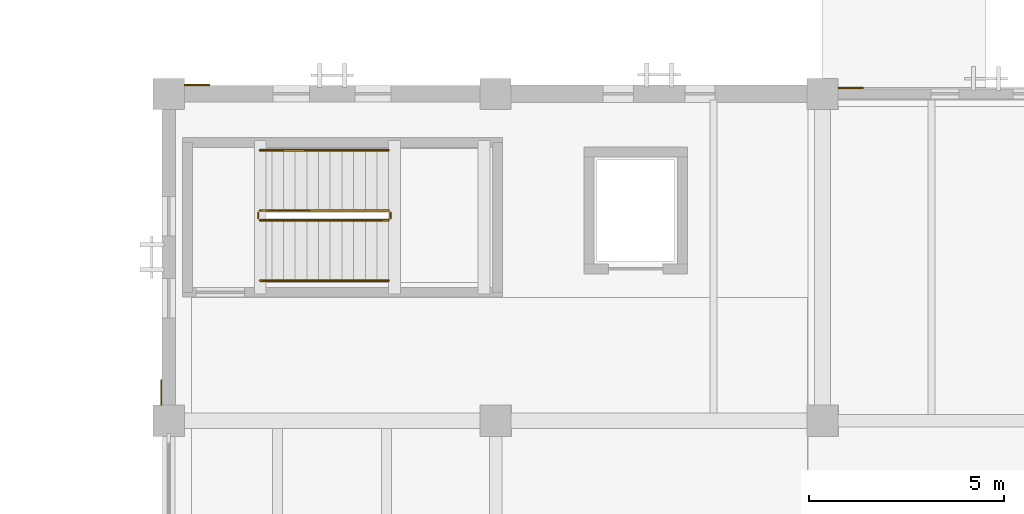
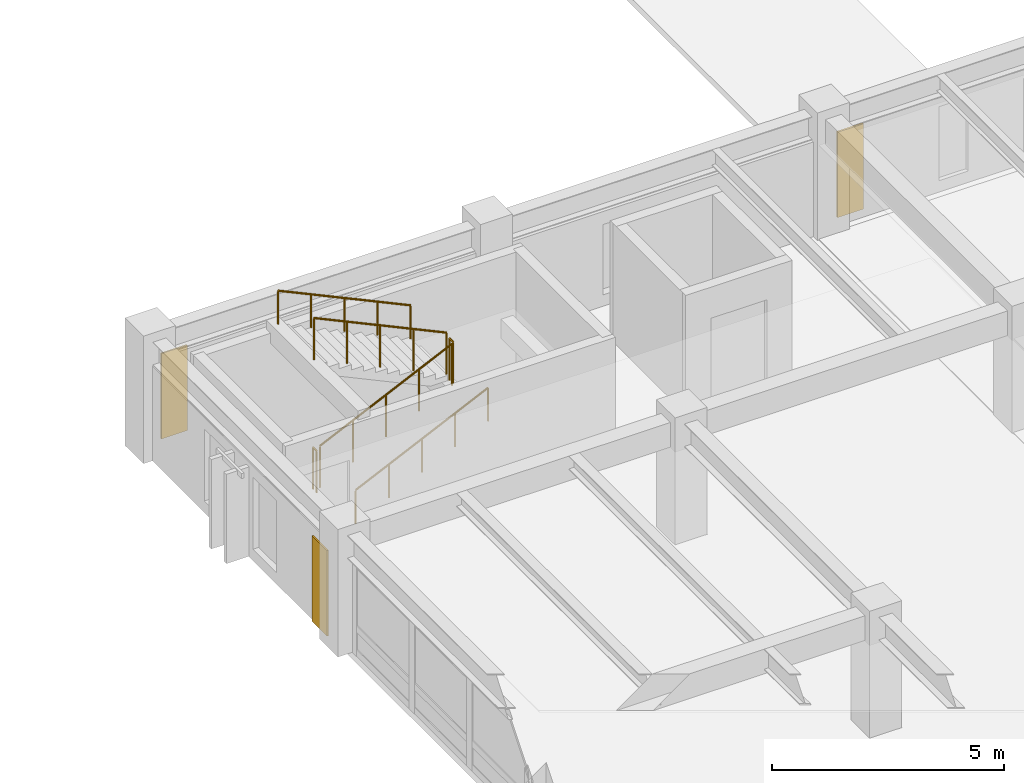
# One storey, part 101 of 111: 6 railings, 3 coverings.
"""IFC4 building model written with IfcOpenShell, lengths in metres."""

from ifc_helpers import new_model, si_unit, direction, frame, origin, origin_2d, place, context, subcontext, project, spatial, polyline, circle, outline, extrude, material, layer, layer_set, type_object, element, save


model = new_model("IFC4")

# Units and contexts
model_context = context("Model", 3, precision=1e-05, world=origin(), true_north=direction((0.0, 1.0)))
body_context = subcontext(model_context, "Body", "Model", "MODEL_VIEW")
ifc_project = project(units=[si_unit("LENGTHUNIT", "METRE"), si_unit("AREAUNIT", "SQUARE_METRE"), si_unit("VOLUMEUNIT", "CUBIC_METRE"), si_unit("PLANEANGLEUNIT", "RADIAN"), si_unit("MASSUNIT", "GRAM", prefix="KILO")], contexts=[model_context])

# Site, building, storey
site_placement = place(None, origin())
site = spatial("IfcSite", under=ifc_project, at=site_placement, CompositionType="ELEMENT")
building_placement = place(site_placement, origin())
building = spatial("IfcBuilding", under=site, at=building_placement, Name="Cumbredor Promenade Congress Hotel", CompositionType="ELEMENT")
storey_placement = place(building_placement, frame((0.0, 0.0, 15.1201171875)))
storey = spatial("IfcBuildingStorey", under=building, at=storey_placement, Name="L04", CompositionType="ELEMENT", Elevation=15.1201171875)

# Covering
ifc_material_1 = material(Name="Precast concrete C40/50", Category="concrete")
ifc_layer_1 = layer(ifc_material_1, 0.044921875, Name="Precast concrete C40/50", Category="concrete")
ifc_layer_set_1 = layer_set([ifc_layer_1], Name="Precast concrete C40/50")
covering_type_1 = type_object("IfcCoveringType", Name="Board-Formed Architectural Cladding Panel 45mm", PredefinedType="CLADDING", material=ifc_layer_set_1)
covering_1_placement = place(storey_placement, origin())
element("IfcCovering", 1, at=covering_1_placement, inside=storey, type_object=covering_type_1, Name="L04 Facade Stone Cladding Pier 168", PredefinedType="CLADDING", context=body_context, shape_type="SweptSolid", body=[
    extrude(outline(polyline([(25.60107421875, 67.330078125), (26.2509765625, 67.330078125), (26.2509765625, 67.375), (25.60107421875, 67.375), (25.60107421875, 67.330078125)])), origin(), (0.0, 0.0, 1.0), 2.25),
])

# Railings
ifc_material_2 = material(Name="Brushed stainless steel", Category="steel")
railing_type_1 = type_object("IfcRailingType", Name="Interior Void & Stair Guardrail GR-1100", PredefinedType="GUARDRAIL", material=ifc_material_2)
railing_1_placement = place(storey_placement, frame((10.75, 63.949951171875, 0.139892578125)))
element("IfcRailing", 2, at=railing_1_placement, inside=storey, type_object=railing_type_1, Name="L04 ST-06 stair guard 1", PredefinedType="GUARDRAIL", context=body_context, shape_type="SweptSolid", body=[
    extrude(circle(Radius=0.02392578125, at=origin_2d()), frame((0.0, 0.0, 1.09619140625), z_axis=(0.906181427284, 0.0, 0.422889135408), x_axis=(0.0, 1.0, 0.0)), (0.0, 0.0, 1.0), 3.6416015625),
    extrude(circle(Radius=0.02099609375, at=origin_2d()), origin(), (0.0, 0.0, 1.0), 1.072021484375),
    extrude(circle(Radius=0.02099609375, at=origin_2d()), frame((0.824951171875, 0.0, 0.385009765625)), (0.0, 0.0, 1.0), 1.072021484375),
    extrude(circle(Radius=0.02099609375, at=origin_2d()), frame((1.64990234375, 0.0, 0.77001953125)), (0.0, 0.0, 1.0), 1.072021484375),
    extrude(circle(Radius=0.02099609375, at=origin_2d()), frame((2.47509765625, 0.0, 1.155029296875)), (0.0, 0.0, 1.0), 1.072021484375),
    extrude(circle(Radius=0.02099609375, at=origin_2d()), frame((3.300048828125, 0.0, 1.5400390625)), (0.0, 0.0, 1.0), 1.072021484375),
])
railing_2_placement = place(storey_placement, frame((14.10009765625, 64.0, 1.679931640625)))
element("IfcRailing", 3, at=railing_2_placement, inside=storey, type_object=railing_type_1, Name="L04 ST-06 stair guard 2", PredefinedType="GUARDRAIL", context=body_context, shape_type="SweptSolid", body=[
    extrude(circle(Radius=0.02392578125, at=origin_2d()), frame((0.0, 0.0, 1.09619140625), z_axis=(0.0, 1.0, 0.0), x_axis=(-1.0, 0.0, 0.0)), (0.0, 0.0, 1.0), 0.14990234375),
    extrude(circle(Radius=0.02099609375, at=origin_2d()), origin(), (0.0, 0.0, 1.0), 1.072021484375),
    extrude(circle(Radius=0.02099609375, at=origin_2d()), frame((0.0, 0.14990234375, 0.0)), (0.0, 0.0, 1.0), 1.072021484375),
])
railing_3_placement = place(storey_placement, frame((14.050048828125, 64.199951171875, 1.81982421875)))
element("IfcRailing", 4, at=railing_3_placement, inside=storey, type_object=railing_type_1, Name="L04 ST-06 stair guard 3", PredefinedType="GUARDRAIL", context=body_context, shape_type="SweptSolid", body=[
    extrude(circle(Radius=0.02392578125, at=origin_2d()), frame((0.0, 0.0, 1.09619140625), z_axis=(-0.906181427284, 0.0, 0.422889135408), x_axis=(0.0, -1.0, 0.0)), (0.0, 0.0, 1.0), 3.6416015625),
    extrude(circle(Radius=0.02099609375, at=origin_2d()), origin(), (0.0, 0.0, 1.0), 1.072021484375),
    extrude(circle(Radius=0.02099609375, at=origin_2d()), frame((-0.824951171875, 0.0, 0.385009765625)), (0.0, 0.0, 1.0), 1.072021484375),
    extrude(circle(Radius=0.02099609375, at=origin_2d()), frame((-1.64990234375, 0.0, 0.77001953125)), (0.0, 0.0, 1.0), 1.072021484375),
    extrude(circle(Radius=0.02099609375, at=origin_2d()), frame((-2.47509765625, 0.0, 1.155029296875)), (0.0, 0.0, 1.0), 1.072021484375),
    extrude(circle(Radius=0.02099609375, at=origin_2d()), frame((-3.300048828125, 0.0, 1.5400390625)), (0.0, 0.0, 1.0), 1.072021484375),
])
railing_4_placement = place(storey_placement, frame((10.699951171875, 64.0, 0.0)))
element("IfcRailing", 5, at=railing_4_placement, inside=storey, type_object=railing_type_1, Name="L04 ST-06 stair guard 4", PredefinedType="GUARDRAIL", context=body_context, shape_type="SweptSolid", body=[
    extrude(circle(Radius=0.02392578125, at=origin_2d()), frame((0.0, 0.0, 1.09619140625), z_axis=(0.0, 1.0, 0.0), x_axis=(-1.0, 0.0, 0.0)), (0.0, 0.0, 1.0), 0.14990234375),
    extrude(circle(Radius=0.02099609375, at=origin_2d()), origin(), (0.0, 0.0, 1.0), 1.072021484375),
    extrude(circle(Radius=0.02099609375, at=origin_2d()), frame((0.0, 0.14990234375, 0.0)), (0.0, 0.0, 1.0), 1.072021484375),
])
railing_type_2 = type_object("IfcRailingType", Name="Stair Pitch Handrail HR-900", PredefinedType="HANDRAIL", material=ifc_material_2)
railing_5_placement = place(storey_placement, frame((10.75, 62.39990234375, 0.139892578125)))
element("IfcRailing", 6, at=railing_5_placement, inside=storey, type_object=railing_type_2, Name="L04 ST-06 stair handrail 1", PredefinedType="HANDRAIL", context=body_context, shape_type="SweptSolid", body=[
    extrude(circle(Radius=0.02392578125, at=origin_2d()), frame((0.0, 0.0, 0.8759765625), z_axis=(0.906181427284, 0.0, 0.422889135408), x_axis=(0.0, 1.0, 0.0)), (0.0, 0.0, 1.0), 3.6416015625),
    extrude(circle(Radius=0.02099609375, at=origin_2d()), origin(), (0.0, 0.0, 1.0), 0.851806640625),
    extrude(circle(Radius=0.02099609375, at=origin_2d()), frame((0.824951171875, 0.0, 0.385009765625)), (0.0, 0.0, 1.0), 0.851806640625),
    extrude(circle(Radius=0.02099609375, at=origin_2d()), frame((1.64990234375, 0.0, 0.77001953125)), (0.0, 0.0, 1.0), 0.851806640625),
    extrude(circle(Radius=0.02099609375, at=origin_2d()), frame((2.47509765625, 0.0, 1.155029296875)), (0.0, 0.0, 1.0), 0.851806640625),
    extrude(circle(Radius=0.02099609375, at=origin_2d()), frame((3.300048828125, 0.0, 1.5400390625)), (0.0, 0.0, 1.0), 0.851806640625),
])
railing_6_placement = place(storey_placement, frame((14.050048828125, 65.75, 1.81982421875)))
element("IfcRailing", 7, at=railing_6_placement, inside=storey, type_object=railing_type_2, Name="L04 ST-06 stair handrail 2", PredefinedType="HANDRAIL", context=body_context, shape_type="SweptSolid", body=[
    extrude(circle(Radius=0.02392578125, at=origin_2d()), frame((0.0, 0.0, 0.8759765625), z_axis=(-0.906181427284, 0.0, 0.422889135408), x_axis=(0.0, -1.0, 0.0)), (0.0, 0.0, 1.0), 3.6416015625),
    extrude(circle(Radius=0.02099609375, at=origin_2d()), origin(), (0.0, 0.0, 1.0), 0.851806640625),
    extrude(circle(Radius=0.02099609375, at=origin_2d()), frame((-0.824951171875, 0.0, 0.385009765625)), (0.0, 0.0, 1.0), 0.851806640625),
    extrude(circle(Radius=0.02099609375, at=origin_2d()), frame((-1.64990234375, 0.0, 0.77001953125)), (0.0, 0.0, 1.0), 0.851806640625),
    extrude(circle(Radius=0.02099609375, at=origin_2d()), frame((-2.47509765625, 0.0, 1.155029296875)), (0.0, 0.0, 1.0), 0.851806640625),
    extrude(circle(Radius=0.02099609375, at=origin_2d()), frame((-3.300048828125, 0.0, 1.5400390625)), (0.0, 0.0, 1.0), 0.851806640625),
])

# Coverings
ifc_material_3 = material(Name="Volcanic andesite ashlar cladding", Category="masonry")
ifc_layer_2 = layer(ifc_material_3, 0.034912109375, Name="Volcanic andesite ashlar cladding", Category="masonry")
ifc_layer_set_2 = layer_set([ifc_layer_2], Name="Volcanic andesite ashlar cladding")
covering_type_2 = type_object("IfcCoveringType", Name="Volcanic Andesite Ashlar Rainscreen Cladding 35mm", PredefinedType="CLADDING", material=ifc_layer_set_2)
covering_2_placement = place(storey_placement, origin())
element("IfcCovering", 8, at=covering_2_placement, inside=storey, type_object=covering_type_2, Name="L04 Facade Stone Cladding Pier 167", PredefinedType="CLADDING", context=body_context, shape_type="SweptSolid", body=[
    extrude(outline(polyline([(8.801025390625, 67.41259765625), (9.450927734375, 67.41259765625), (9.450927734375, 67.447509765625), (8.801025390625, 67.447509765625), (8.801025390625, 67.41259765625)])), origin(), (0.0, 0.0, 1.0), 2.25),
])
covering_3_placement = place(storey_placement, origin())
element("IfcCovering", 9, at=covering_3_placement, inside=storey, type_object=covering_type_2, Name="L04 Facade Stone Cladding Pier 171", PredefinedType="CLADDING", context=body_context, shape_type="SweptSolid", body=[
    extrude(outline(polyline([(8.22509765625, 59.200927734375), (8.22509765625, 59.85107421875), (8.18994140625, 59.85107421875), (8.18994140625, 59.200927734375), (8.22509765625, 59.200927734375)])), origin(), (0.0, 0.0, 1.0), 2.25),
])

save(model, "model.ifc")
